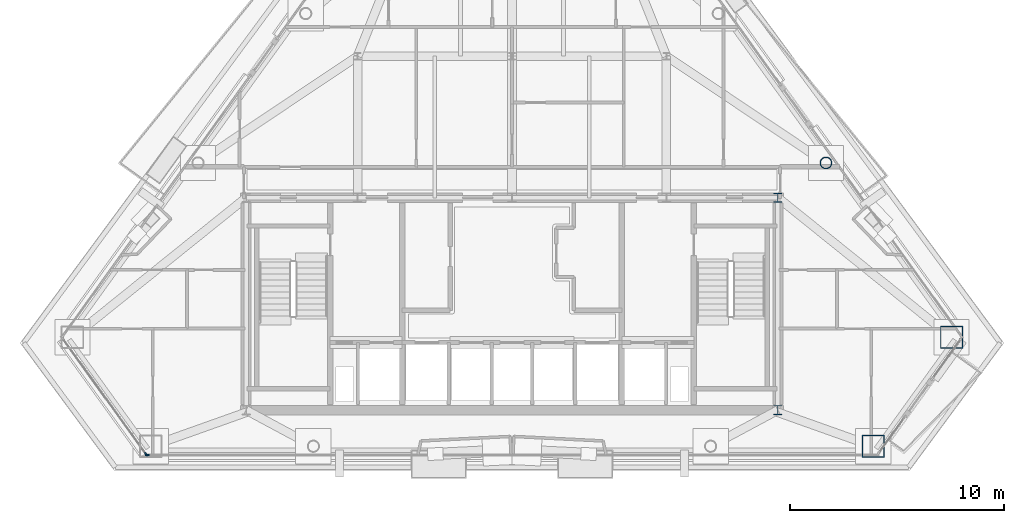
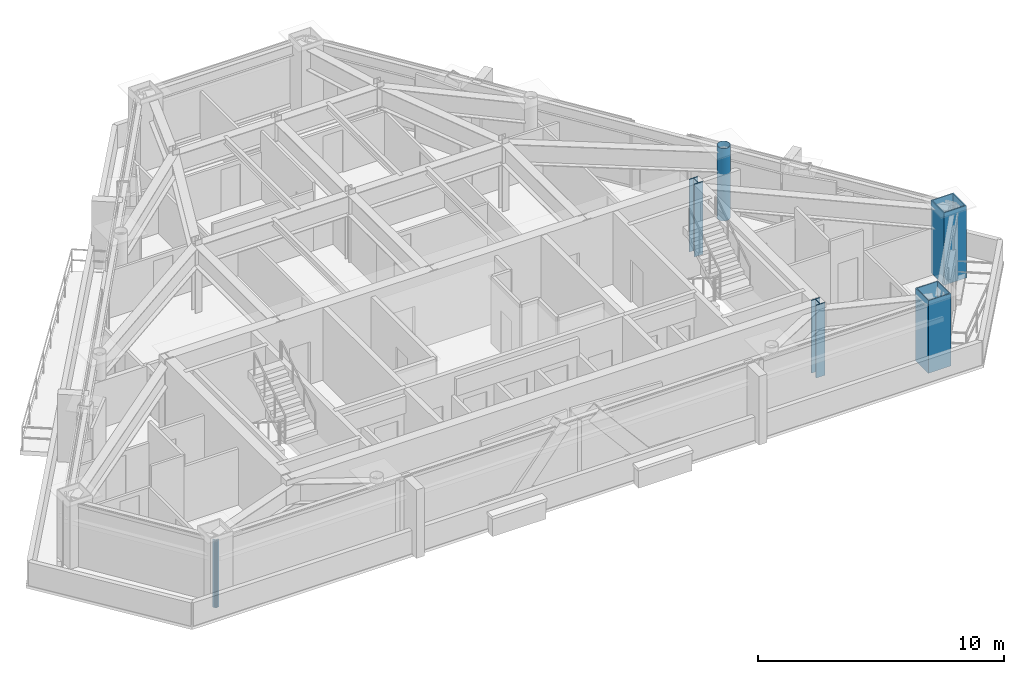
# One storey, part 2 of 11: 5 columns, 2 members, 2 elements without a shape of their own.
"""IFC4 building model written with IfcOpenShell, lengths in metres."""

from ifc_helpers import new_model, si_unit, direction, frame, origin, origin_2d, place, context, subcontext, project, spatial, rectangle, hollow_rectangle, hollow_circle, i_section, extrude, material, layer, layer_set, material_profile, profile_set, type_object, element, aggregate, save


model = new_model("IFC4")

# Units and contexts
model_context = context("Model", 3, precision=1e-05, world=origin(), true_north=direction((0.0, 1.0)))
body_context = subcontext(model_context, "Body", "Model", "MODEL_VIEW")
ifc_project = project(units=[si_unit("LENGTHUNIT", "METRE"), si_unit("AREAUNIT", "SQUARE_METRE"), si_unit("VOLUMEUNIT", "CUBIC_METRE"), si_unit("PLANEANGLEUNIT", "RADIAN"), si_unit("MASSUNIT", "GRAM", prefix="KILO")], contexts=[model_context])

# Site, building, storey
site_placement = place(None, origin())
site = spatial("IfcSite", under=ifc_project, at=site_placement, CompositionType="ELEMENT")
building_placement = place(site_placement, origin())
building = spatial("IfcBuilding", under=site, at=building_placement, Name="Talgorran Terracotta Tower", CompositionType="ELEMENT")
storey_placement = place(building_placement, frame((0.0, 0.0, 185.699951171875)))
storey = spatial("IfcBuildingStorey", under=building, at=storey_placement, Name="L48", CompositionType="ELEMENT", Elevation=185.699951171875)

# Columns
ifc_material_1 = material(Name="Steel S355 (300PLUS)", Category="steel")
ifc_material_profile_1 = material_profile(ifc_material_1, i_section(OverallWidth=0.39990234375, OverallDepth=0.43994140625, WebThickness=0.028076171875, FlangeThickness=0.0400390625, at=origin_2d()), Name="400WC328")
ifc_profile_set_1 = profile_set([ifc_material_profile_1], Name="Steel S355 (300PLUS)")
column_type_1 = type_object("IfcColumnType", Name="COL_400WC328", PredefinedType="COLUMN", material=ifc_profile_set_1)
for number, where, z_axis, x_axis, name in (
    (1, (12.39990234375, -14.10009765625, 0.0), (0.0, 0.0, 1.0), (1.0, 0.0, 0.0), "L48 Core Boundary Column CC2"),
    (2, (12.39990234375, -4.199951171875, 0.0), (0.0, 0.0, 1.0), (1.0, 0.0, 0.0), "L48 Core Boundary Column CC3"),
):
    element("IfcColumn", number, at=place(storey_placement, frame(where, z_axis=z_axis, x_axis=x_axis)), inside=storey, type_object=column_type_1, Name=name, PredefinedType="COLUMN", context=body_context, shape_type="SweptSolid", body=[
        extrude(i_section(OverallWidth=0.39990234375, OverallDepth=0.43994140625, WebThickness=0.028076171875, FlangeThickness=0.0400390625, at=origin_2d()), origin(), (0.0, 0.0, 1.0), 3.60009765625),
    ])
ifc_material_2 = material(Name="Steel Grade 350 (350L0)", Category="steel")
ifc_material_profile_2 = material_profile(ifc_material_2, hollow_rectangle(XDim=1.050048828125, YDim=1.050048828125, WallThickness=0.044921875, at=origin_2d()), Name="CFT1050X1050X45")
ifc_profile_set_2 = profile_set([ifc_material_profile_2], Name="Steel Grade 350 (350L0)")
column_type_2 = type_object("IfcColumnType", Name="COL_CFT_1050", PredefinedType="COLUMN", material=ifc_profile_set_2)
for number, where, z_axis, x_axis, name in (
    (3, (16.8359375, -15.78564453125, 0.0), (0.0, 0.0, 1.0), (1.0, 0.0, 0.0), "L48 Corner CFT Mega-Column MC3"),
    (4, (20.49365234375, -10.706787109375, 0.0), (0.0, 0.0, 1.0), (1.0, 0.0, 0.0), "L48 Corner CFT Mega-Column MC4"),
):
    element("IfcColumn", number, at=place(storey_placement, frame(where, z_axis=z_axis, x_axis=x_axis)), inside=storey, type_object=column_type_2, Name=name, PredefinedType="COLUMN", context=body_context, shape_type="SweptSolid", body=[
        extrude(hollow_rectangle(XDim=1.050048828125, YDim=1.050048828125, WallThickness=0.044921875, at=origin_2d()), origin(), (0.0, 0.0, 1.0), 3.60009765625),
    ])
ifc_material_profile_3 = material_profile(ifc_material_2, hollow_circle(Radius=0.27490234375, WallThickness=0.02392578125, at=origin_2d()), Name="CHS550X24")
ifc_profile_set_3 = profile_set([ifc_material_profile_3], Name="Steel Grade 350 (350L0)")
column_type_3 = type_object("IfcColumnType", Name="COL_CHS_550", PredefinedType="COLUMN", material=ifc_profile_set_3)
column_placement = place(storey_placement, frame((14.638916015625, -2.577392578125, 0.0), z_axis=(0.0, 0.0, 1.0), x_axis=(1.0, 0.0, 0.0)))
element("IfcColumn", 5, at=column_placement, inside=storey, type_object=column_type_3, Name="L48 Facet Perimeter Column FC3", PredefinedType="COLUMN", context=body_context, shape_type="SweptSolid", body=[
    extrude(hollow_circle(Radius=0.27490234375, WallThickness=0.02392578125, at=origin_2d()), origin(), (0.0, 0.0, 1.0), 3.60009765625),
])

# Curtain wall, member
ifc_material_3 = material(Name="High-Wind Unitised Glazing", Category="glass")
ifc_layer = layer(ifc_material_3, 0.2099609375, Name="CW_SYS3_RES_HIGH")
ifc_layer_set = layer_set([ifc_layer], Name="High-Wind Unitised Glazing")
curtain_wall_type = type_object("IfcCurtainWallType", Name="CW_SYS3_RES_HIGH", PredefinedType="NOTDEFINED", material=ifc_layer_set)
curtain_wall_1_placement = place(storey_placement, origin())
curtain_wall_1 = element("IfcCurtainWall", 6, at=curtain_wall_1_placement, inside=storey, type_object=curtain_wall_type, Name="CW-L48-F0", PredefinedType="NOTDEFINED")
ifc_material_4 = material(Name="Architectural Aluminium 6063-T6", Category="aluminium")
ifc_material_profile_4 = material_profile(ifc_material_4, rectangle(XDim=0.070068359375, YDim=0.199951171875, at=origin_2d()), Name="CWM70X200")
ifc_profile_set_4 = profile_set([ifc_material_profile_4], Name="Architectural Aluminium 6063-T6")
member_type = type_object("IfcMemberType", Name="MUL_70X200", PredefinedType="MULLION", material=ifc_profile_set_4)
member_1_placement = place(storey_placement, frame((-17.061279296875, -16.1572265625, 0.0), z_axis=(0.0, 0.0, 1.0), x_axis=(0.811459609223, 0.584408506612, 0.0)))
member_1 = element("IfcMember", 7, at=member_1_placement, type_object=member_type, Name="CW-L48-0 mullion 2", PredefinedType="MULLION", context=body_context, shape_type="SweptSolid", body=[
    extrude(rectangle(XDim=0.070068359375, YDim=0.199951171875, at=origin_2d()), origin(), (0.0, 0.0, 1.0), 3.35009765625),
])
aggregate(curtain_wall_1, [member_1])

curtain_wall_2_placement = place(storey_placement, origin())
curtain_wall_2 = element("IfcCurtainWall", 8, at=curtain_wall_2_placement, inside=storey, type_object=curtain_wall_type, Name="CW-L48-F1", PredefinedType="NOTDEFINED")
member_2_placement = place(storey_placement, frame((-17.005859375, -16.185546875, 0.0), z_axis=(0.0, 0.0, 1.0), x_axis=(0.0, 1.0, 0.0)))
member_2 = element("IfcMember", 9, at=member_2_placement, type_object=member_type, Name="CW-L48-1 mullion 1", PredefinedType="MULLION", context=body_context, shape_type="SweptSolid", body=[
    extrude(rectangle(XDim=0.070068359375, YDim=0.199951171875, at=origin_2d()), origin(), (0.0, 0.0, 1.0), 3.35009765625),
])
aggregate(curtain_wall_2, [member_2])

save(model, "model.ifc")
